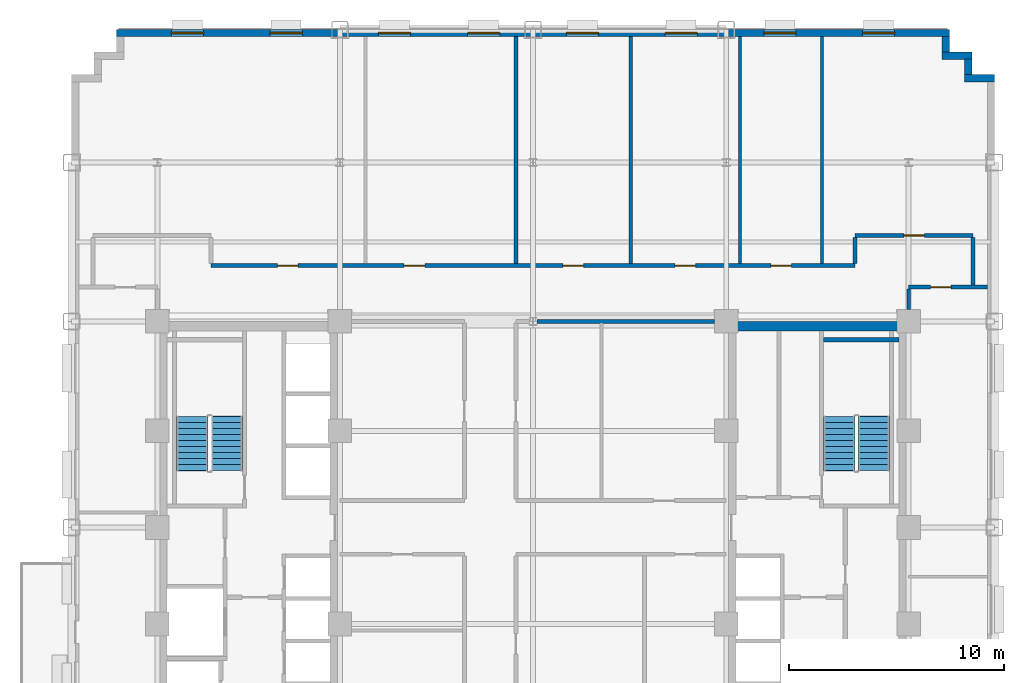
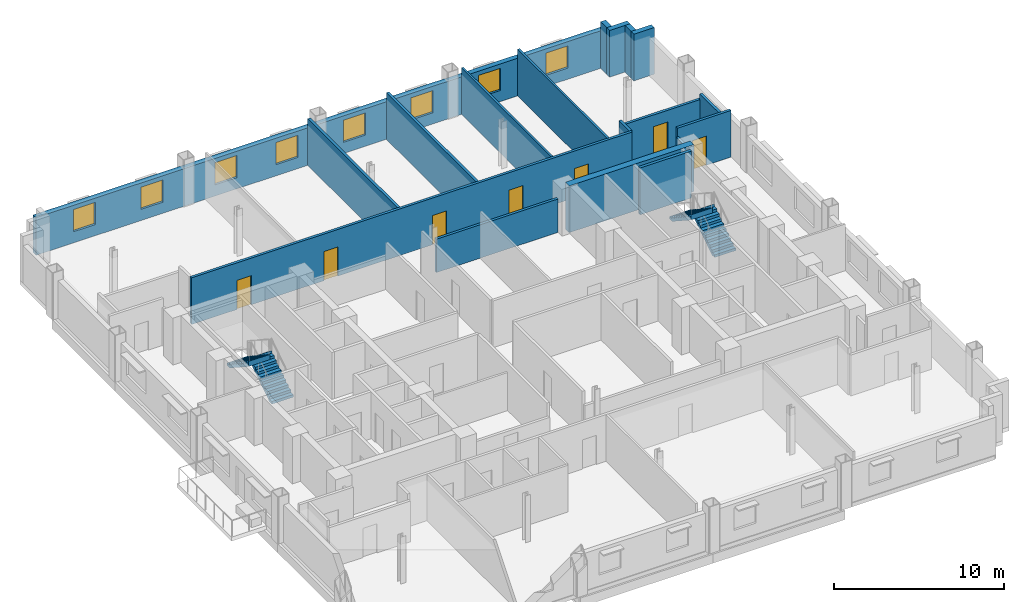
# One storey, part 9 of 13: 18 walls, 8 windows, 7 doors, 4 stair flights, 15 openings, 2 elements without a shape of their own.
"""IFC4 building model written with IfcOpenShell, lengths in metres."""

from ifc_helpers import new_model, si_unit, direction, frame, frame_2d, origin, place, context, subcontext, project, spatial, polyline, rectangle, outline, extrude, source, transform, mapped, material, layer, layer_set, type_object, type_shapes, element, fill, aggregate, save


model = new_model("IFC4")

# Units and contexts
model_context = context("Model", 3, precision=1e-05, world=origin(), true_north=direction((0.0, 1.0)))
body_context = subcontext(model_context, "Body", "Model", "MODEL_VIEW")
ifc_project = project(units=[si_unit("LENGTHUNIT", "METRE"), si_unit("AREAUNIT", "SQUARE_METRE"), si_unit("VOLUMEUNIT", "CUBIC_METRE"), si_unit("PLANEANGLEUNIT", "RADIAN"), si_unit("MASSUNIT", "GRAM", prefix="KILO")], contexts=[model_context])

# Site, building, storey
site_placement = place(None, origin())
site = spatial("IfcSite", under=ifc_project, at=site_placement, CompositionType="ELEMENT")
building_placement = place(site_placement, origin())
building = spatial("IfcBuilding", under=site, at=building_placement, Name="Nuvemarco Arch Tower", CompositionType="ELEMENT")
storey_placement = place(building_placement, frame((0.0, 0.0, 78.699951171875)))
storey = spatial("IfcBuildingStorey", under=building, at=storey_placement, Name="L20", CompositionType="ELEMENT", Elevation=78.699951171875)

# Walls
ifc_material_1 = material(Name="Precast concrete C45/55", Category="concrete")
ifc_layer_1 = layer(ifc_material_1, 0.340087890625, Name="EW-LOW-340")
ifc_layer_set_1 = layer_set([ifc_layer_1], Name="Precast concrete C45/55")
wall_type_1 = type_object("IfcWallType", Name="EW-LOW-340", PredefinedType="STANDARD", material=ifc_layer_set_1)
wall_1_placement = place(storey_placement, frame((20.110107421875, 20.929931640625, 0.0), z_axis=(0.0, 0.0, 1.0), x_axis=(1.0, 0.0, 0.0)))
element("IfcWall", 1, at=wall_1_placement, inside=storey, type_object=wall_type_1, Name="L20 exterior precast facade wall 7", PredefinedType="STANDARD", context=body_context, shape_type="SweptSolid", body=[
    extrude(rectangle(XDim=1.389892578125, YDim=0.340087890625, at=frame_2d((0.69482421875, 0.0))), origin(), (0.0, 0.0, 1.0), 3.360107421875),
])
wall_2_placement = place(storey_placement, frame((20.280029296875, 21.095947265625, 0.0), z_axis=(0.0, 0.0, 1.0), x_axis=(0.0, 1.0, 0.0)))
element("IfcWall", 2, at=wall_2_placement, inside=storey, type_object=wall_type_1, Name="L20 exterior precast facade wall 8", PredefinedType="STANDARD", context=body_context, shape_type="SweptSolid", body=[
    extrude(rectangle(XDim=0.718017578125, YDim=0.340087890625, at=frame_2d((0.35888671875, 0.0))), origin(), (0.0, 0.0, 1.0), 3.360107421875),
])
wall_3_placement = place(storey_placement, frame((19.06005859375, 21.97998046875, 0.0), z_axis=(0.0, 0.0, 1.0), x_axis=(1.0, 0.0, 0.0)))
element("IfcWall", 3, at=wall_3_placement, inside=storey, type_object=wall_type_1, Name="L20 exterior precast facade wall 9", PredefinedType="STANDARD", context=body_context, shape_type="SweptSolid", body=[
    extrude(rectangle(XDim=1.389892578125, YDim=0.340087890625, at=frame_2d((0.69482421875, 0.0))), origin(), (0.0, 0.0, 1.0), 3.360107421875),
])
wall_4_placement = place(storey_placement, frame((19.22998046875, 22.14599609375, 0.0), z_axis=(0.0, 0.0, 1.0), x_axis=(0.0, 1.0, 0.0)))
element("IfcWall", 4, at=wall_4_placement, inside=storey, type_object=wall_type_1, Name="L20 exterior precast facade wall 10", PredefinedType="STANDARD", context=body_context, shape_type="SweptSolid", body=[
    extrude(rectangle(XDim=0.718017578125, YDim=0.340087890625, at=frame_2d((0.35888671875, 0.0))), origin(), (0.0, 0.0, 1.0), 3.360107421875),
])

# Wall, openings, windows
wall_5_placement = place(storey_placement, frame((-19.39990234375, 23.030029296875, 0.0), z_axis=(0.0, 0.0, 1.0), x_axis=(1.0, 0.0, 0.0)))
wall_5 = element("IfcWall", 5, at=wall_5_placement, inside=storey, type_object=wall_type_1, Name="L20 exterior precast facade wall 11", PredefinedType="STANDARD", context=body_context, shape_type="SweptSolid", body=[
    extrude(rectangle(XDim=38.7998046875, YDim=0.340087890625, at=frame_2d((19.39990234375, 0.0))), origin(), (0.0, 0.0, 1.0), 2.705078125),
])
opening_1_placement = place(wall_5_placement, frame((2.550048828125, 0.0, 0.800048828125)))
opening_1 = element("IfcOpeningElement", 6, at=opening_1_placement, cuts=wall_5, Name="Opening WN-11", PredefinedType="OPENING", context=body_context, shape_type="SweptSolid", body=[
    extrude(rectangle(XDim=1.5, YDim=1.60009765625, at=frame_2d((0.75, 0.800048828125))), frame((0.0, 0.179931640625, 0.0), z_axis=(0.0, -1.0, 0.0), x_axis=(1.0, 0.0, 0.0)), (0.0, 0.0, 1.0), 0.360107421875),
])
opening_2_placement = place(wall_5_placement, frame((7.14990234375, 0.0, 0.800048828125)))
opening_2 = element("IfcOpeningElement", 7, at=opening_2_placement, cuts=wall_5, Name="Opening WN-11", PredefinedType="OPENING", context=body_context, shape_type="SweptSolid", body=[
    extrude(rectangle(XDim=1.5, YDim=1.60009765625, at=frame_2d((0.75, 0.800048828125))), frame((0.0, 0.179931640625, 0.0), z_axis=(0.0, -1.0, 0.0), x_axis=(1.0, 0.0, 0.0)), (0.0, 0.0, 1.0), 0.360107421875),
])
opening_3_placement = place(wall_5_placement, frame((12.199951171875, 0.0, 0.800048828125)))
opening_3 = element("IfcOpeningElement", 8, at=opening_3_placement, cuts=wall_5, Name="Opening WN-11", PredefinedType="OPENING", context=body_context, shape_type="SweptSolid", body=[
    extrude(rectangle(XDim=1.5, YDim=1.60009765625, at=frame_2d((0.75, 0.800048828125))), frame((0.0, 0.179931640625, 0.0), z_axis=(0.0, -1.0, 0.0), x_axis=(1.0, 0.0, 0.0)), (0.0, 0.0, 1.0), 0.360107421875),
])
opening_4_placement = place(wall_5_placement, frame((16.35009765625, 0.0, 0.800048828125)))
opening_4 = element("IfcOpeningElement", 9, at=opening_4_placement, cuts=wall_5, Name="Opening WN-11", PredefinedType="OPENING", context=body_context, shape_type="SweptSolid", body=[
    extrude(rectangle(XDim=1.5, YDim=1.60009765625, at=frame_2d((0.75, 0.800048828125))), frame((0.0, 0.179931640625, 0.0), z_axis=(0.0, -1.0, 0.0), x_axis=(1.0, 0.0, 0.0)), (0.0, 0.0, 1.0), 0.360107421875),
])
opening_5_placement = place(wall_5_placement, frame((20.949951171875, 0.0, 0.800048828125)))
opening_5 = element("IfcOpeningElement", 10, at=opening_5_placement, cuts=wall_5, Name="Opening WN-11", PredefinedType="OPENING", context=body_context, shape_type="SweptSolid", body=[
    extrude(rectangle(XDim=1.5, YDim=1.60009765625, at=frame_2d((0.75, 0.800048828125))), frame((0.0, 0.179931640625, 0.0), z_axis=(0.0, -1.0, 0.0), x_axis=(1.0, 0.0, 0.0)), (0.0, 0.0, 1.0), 0.360107421875),
])
opening_6_placement = place(wall_5_placement, frame((25.550048828125, 0.0, 0.800048828125)))
opening_6 = element("IfcOpeningElement", 11, at=opening_6_placement, cuts=wall_5, Name="Opening WN-11", PredefinedType="OPENING", context=body_context, shape_type="SweptSolid", body=[
    extrude(rectangle(XDim=1.5, YDim=1.60009765625, at=frame_2d((0.75, 0.800048828125))), frame((0.0, 0.179931640625, 0.0), z_axis=(0.0, -1.0, 0.0), x_axis=(1.0, 0.0, 0.0)), (0.0, 0.0, 1.0), 0.360107421875),
])
opening_7_placement = place(wall_5_placement, frame((30.14990234375, 0.0, 0.800048828125)))
opening_7 = element("IfcOpeningElement", 12, at=opening_7_placement, cuts=wall_5, Name="Opening WN-11", PredefinedType="OPENING", context=body_context, shape_type="SweptSolid", body=[
    extrude(rectangle(XDim=1.5, YDim=1.60009765625, at=frame_2d((0.75, 0.800048828125))), frame((0.0, 0.179931640625, 0.0), z_axis=(0.0, -1.0, 0.0), x_axis=(1.0, 0.0, 0.0)), (0.0, 0.0, 1.0), 0.360107421875),
])
opening_8_placement = place(wall_5_placement, frame((34.75, 0.0, 0.800048828125)))
opening_8 = element("IfcOpeningElement", 13, at=opening_8_placement, cuts=wall_5, Name="Opening WN-11", PredefinedType="OPENING", context=body_context, shape_type="SweptSolid", body=[
    extrude(rectangle(XDim=1.5, YDim=1.60009765625, at=frame_2d((0.75, 0.800048828125))), frame((0.0, 0.179931640625, 0.0), z_axis=(0.0, -1.0, 0.0), x_axis=(1.0, 0.0, 0.0)), (0.0, 0.0, 1.0), 0.360107421875),
])
ifc_material_2 = material(Name="Insulated solar-control glass", Category="glass")
window_type = type_object("IfcWindowType", Name="WN-STEP-1500x1850", PartitioningType="SINGLE_PANEL", PredefinedType="WINDOW", material=ifc_material_2)
shared_shape_1 = source(origin(), body_context, "Body", "SweptSolid", [
    extrude(rectangle(XDim=1.5, YDim=1.60009765625, at=frame_2d((0.75, 0.800048828125))), frame((0.0, 0.030029296875, 0.0), z_axis=(0.0, -1.0, 0.0), x_axis=(1.0, 0.0, 0.0)), (0.0, 0.0, 1.0), 0.06005859375),
])
type_shapes(window_type, [shared_shape_1])
window_1_placement = place(opening_1_placement, origin())
window_1 = element("IfcWindow", 14, at=window_1_placement, inside=storey, type_object=window_type, Name="L20 punched facade window 1", OverallHeight=1.60009765625, OverallWidth=1.5, PartitioningType="SINGLE_PANEL", PredefinedType="WINDOW", context=body_context, shape_type="MappedRepresentation", body=[
    mapped(shared_shape_1, transform((0.0, 0.0, 0.0), scale=1.0)),
])
fill(opening_1, window_1)
window_2_placement = place(opening_2_placement, origin())
window_2 = element("IfcWindow", 15, at=window_2_placement, inside=storey, type_object=window_type, Name="L20 punched facade window 2", OverallHeight=1.60009765625, OverallWidth=1.5, PartitioningType="SINGLE_PANEL", PredefinedType="WINDOW", context=body_context, shape_type="MappedRepresentation", body=[
    mapped(shared_shape_1, transform((0.0, 0.0, 0.0), scale=1.0)),
])
fill(opening_2, window_2)
window_3_placement = place(opening_3_placement, origin())
window_3 = element("IfcWindow", 16, at=window_3_placement, inside=storey, type_object=window_type, Name="L20 punched facade window 3", OverallHeight=1.60009765625, OverallWidth=1.5, PartitioningType="SINGLE_PANEL", PredefinedType="WINDOW", context=body_context, shape_type="MappedRepresentation", body=[
    mapped(shared_shape_1, transform((0.0, 0.0, 0.0), scale=1.0)),
])
fill(opening_3, window_3)
window_4_placement = place(opening_4_placement, origin())
window_4 = element("IfcWindow", 17, at=window_4_placement, inside=storey, type_object=window_type, Name="L20 punched facade window 4", OverallHeight=1.60009765625, OverallWidth=1.5, PartitioningType="SINGLE_PANEL", PredefinedType="WINDOW", context=body_context, shape_type="MappedRepresentation", body=[
    mapped(shared_shape_1, transform((0.0, 0.0, 0.0), scale=1.0)),
])
fill(opening_4, window_4)
window_5_placement = place(opening_5_placement, origin())
window_5 = element("IfcWindow", 18, at=window_5_placement, inside=storey, type_object=window_type, Name="L20 punched facade window 5", OverallHeight=1.60009765625, OverallWidth=1.5, PartitioningType="SINGLE_PANEL", PredefinedType="WINDOW", context=body_context, shape_type="MappedRepresentation", body=[
    mapped(shared_shape_1, transform((0.0, 0.0, 0.0), scale=1.0)),
])
fill(opening_5, window_5)
window_6_placement = place(opening_6_placement, origin())
window_6 = element("IfcWindow", 19, at=window_6_placement, inside=storey, type_object=window_type, Name="L20 punched facade window 6", OverallHeight=1.60009765625, OverallWidth=1.5, PartitioningType="SINGLE_PANEL", PredefinedType="WINDOW", context=body_context, shape_type="MappedRepresentation", body=[
    mapped(shared_shape_1, transform((0.0, 0.0, 0.0), scale=1.0)),
])
fill(opening_6, window_6)
window_7_placement = place(opening_7_placement, origin())
window_7 = element("IfcWindow", 20, at=window_7_placement, inside=storey, type_object=window_type, Name="L20 punched facade window 7", OverallHeight=1.60009765625, OverallWidth=1.5, PartitioningType="SINGLE_PANEL", PredefinedType="WINDOW", context=body_context, shape_type="MappedRepresentation", body=[
    mapped(shared_shape_1, transform((0.0, 0.0, 0.0), scale=1.0)),
])
fill(opening_7, window_7)
window_8_placement = place(opening_8_placement, origin())
window_8 = element("IfcWindow", 21, at=window_8_placement, inside=storey, type_object=window_type, Name="L20 punched facade window 8", OverallHeight=1.60009765625, OverallWidth=1.5, PartitioningType="SINGLE_PANEL", PredefinedType="WINDOW", context=body_context, shape_type="MappedRepresentation", body=[
    mapped(shared_shape_1, transform((0.0, 0.0, 0.0), scale=1.0)),
])
fill(opening_8, window_8)

# Walls
ifc_material_3 = material(Name="Concrete C60/75", Category="concrete")
ifc_layer_2 = layer(ifc_material_3, 0.449951171875, Name="WL-CORE-450")
ifc_layer_set_2 = layer_set([ifc_layer_2], Name="Concrete C60/75")
wall_type_2 = type_object("IfcWallType", Name="WL-CORE-450", PredefinedType="SHEAR", material=ifc_layer_set_2)
wall_6_placement = place(storey_placement, frame((9.0, 9.375, 0.0), z_axis=(0.0, 0.0, 1.0), x_axis=(1.0, 0.0, 0.0)))
element("IfcWall", 22, at=wall_6_placement, inside=storey, type_object=wall_type_2, Name="L20 E-core shear wall N", PredefinedType="SHEAR", context=body_context, shape_type="SweptSolid", body=[
    extrude(rectangle(XDim=8.5, YDim=0.449951171875, at=frame_2d((4.25, 0.0))), origin(), (0.0, 0.0, 1.0), 3.3701171875),
])
ifc_material_4 = material(Name="Fire-rated gypsum drywall partition")
ifc_layer_3 = layer(ifc_material_4, 0.179931640625, Name="WL-CORR-180")
ifc_layer_set_3 = layer_set([ifc_layer_3], Name="Fire-rated gypsum drywall partition")
wall_type_3 = type_object("IfcWallType", Name="WL-CORR-180", PredefinedType="PARTITIONING", material=ifc_layer_set_3)
wall_7_placement = place(storey_placement, frame((0.176025390625, 9.60009765625, 0.0), z_axis=(0.0, 0.0, 1.0), x_axis=(1.0, 0.0, 0.0)))
element("IfcWall", 23, at=wall_7_placement, inside=storey, type_object=wall_type_3, Name="L20 interior wall IW-L20-019", PredefinedType="PARTITIONING", context=body_context, shape_type="SweptSolid", body=[
    extrude(rectangle(XDim=8.278076171875, YDim=0.179931640625, at=frame_2d((4.13916015625, 0.0))), origin(), (0.0, 0.0, 1.0), 2.405029296875),
])

# Wall, opening, door
wall_8_placement = place(storey_placement, frame((17.5, 11.199951171875, 0.0), z_axis=(0.0, 0.0, 1.0), x_axis=(1.0, 0.0, 0.0)))
wall_8 = element("IfcWall", 24, at=wall_8_placement, inside=storey, type_object=wall_type_3, Name="L20 interior wall IW-L20-021", PredefinedType="PARTITIONING", context=body_context, shape_type="SweptSolid", body=[
    extrude(rectangle(XDim=3.659912109375, YDim=0.179931640625, at=frame_2d((1.830078125, 0.0))), origin(), (0.0, 0.0, 1.0), 3.360107421875),
])
opening_9_placement = place(wall_8_placement, frame((1.02001953125, 0.0, 0.0)))
opening_9 = element("IfcOpeningElement", 25, at=opening_9_placement, cuts=wall_8, Name="Opening FD-5", PredefinedType="OPENING", context=body_context, shape_type="SweptSolid", body=[
    extrude(rectangle(XDim=0.9599609375, YDim=2.10009765625, at=frame_2d((0.47998046875, 1.050048828125))), frame((0.0, 0.099853515625, 0.0), z_axis=(0.0, -1.0, 0.0), x_axis=(1.0, 0.0, 0.0)), (0.0, 0.0, 1.0), 0.199951171875),
])
ifc_material_5 = material(Name="Timber fire door", Category="wood")
door_type = type_object("IfcDoorType", Name="DR-CORR-FD", OperationType="NOTDEFINED", PredefinedType="DOOR", material=ifc_material_5)
shared_shape_2 = source(origin(), body_context, "Body", "SweptSolid", [
    extrude(rectangle(XDim=0.9599609375, YDim=2.10009765625, at=frame_2d((0.47998046875, 1.050048828125))), frame((0.0, 0.02490234375, 0.0), z_axis=(0.0, -1.0, 0.0), x_axis=(1.0, 0.0, 0.0)), (0.0, 0.0, 1.0), 0.050048828125),
])
type_shapes(door_type, [shared_shape_2])
door_1_placement = place(opening_9_placement, origin())
door_1 = element("IfcDoor", 26, at=door_1_placement, inside=storey, type_object=door_type, Name="L20 door DR-L20-E_2", OperationType="SINGLE_SWING_RIGHT", OverallHeight=2.10009765625, OverallWidth=0.9599609375, PredefinedType="DOOR", context=body_context, shape_type="MappedRepresentation", body=[
    mapped(shared_shape_2, transform((0.0, 0.0, 0.0), scale=1.0)),
])
fill(opening_9, door_1)

# Wall, openings, doors
wall_9_placement = place(storey_placement, frame((-15.0, 12.199951171875, 0.0), z_axis=(0.0, 0.0, 1.0), x_axis=(1.0, 0.0, 0.0)))
wall_9 = element("IfcWall", 27, at=wall_9_placement, inside=storey, type_object=wall_type_3, Name="L20 interior wall IW-L20-022", PredefinedType="PARTITIONING", context=body_context, shape_type="SweptSolid", body=[
    extrude(rectangle(XDim=30.0, YDim=0.179931640625, at=frame_2d((15.0, 0.0))), origin(), (0.0, 0.0, 1.0), 3.360107421875),
])
opening_10_placement = place(wall_9_placement, frame((3.10009765625, 0.0, 0.0)))
opening_10 = element("IfcOpeningElement", 28, at=opening_10_placement, cuts=wall_9, Name="Opening FD-5", PredefinedType="OPENING", context=body_context, shape_type="SweptSolid", body=[
    extrude(rectangle(XDim=0.9599609375, YDim=2.10009765625, at=frame_2d((0.47998046875, 1.050048828125))), frame((0.0, 0.099853515625, 0.0), z_axis=(0.0, -1.0, 0.0), x_axis=(1.0, 0.0, 0.0)), (0.0, 0.0, 1.0), 0.199951171875),
])
opening_11_placement = place(wall_9_placement, frame((16.39501953125, 0.0, 0.0)))
opening_11 = element("IfcOpeningElement", 29, at=opening_11_placement, cuts=wall_9, Name="Opening FD-5", PredefinedType="OPENING", context=body_context, shape_type="SweptSolid", body=[
    extrude(rectangle(XDim=0.9599609375, YDim=2.10009765625, at=frame_2d((0.47998046875, 1.050048828125))), frame((0.0, 0.099853515625, 0.0), z_axis=(0.0, -1.0, 0.0), x_axis=(1.0, 0.0, 0.0)), (0.0, 0.0, 1.0), 0.199951171875),
])
opening_12_placement = place(wall_9_placement, frame((21.6201171875, 0.0, 0.0)))
opening_12 = element("IfcOpeningElement", 30, at=opening_12_placement, cuts=wall_9, Name="Opening FD-5", PredefinedType="OPENING", context=body_context, shape_type="SweptSolid", body=[
    extrude(rectangle(XDim=0.9599609375, YDim=2.10009765625, at=frame_2d((0.47998046875, 1.050048828125))), frame((0.0, 0.099853515625, 0.0), z_axis=(0.0, -1.0, 0.0), x_axis=(1.0, 0.0, 0.0)), (0.0, 0.0, 1.0), 0.199951171875),
])
opening_13_placement = place(wall_9_placement, frame((9.0, 0.0, 0.0)))
opening_13 = element("IfcOpeningElement", 31, at=opening_13_placement, cuts=wall_9, Name="Opening FD-5", PredefinedType="OPENING", context=body_context, shape_type="SweptSolid", body=[
    extrude(rectangle(XDim=0.9599609375, YDim=2.10009765625, at=frame_2d((0.47998046875, 1.050048828125))), frame((0.0, 0.099853515625, 0.0), z_axis=(0.0, -1.0, 0.0), x_axis=(1.0, 0.0, 0.0)), (0.0, 0.0, 1.0), 0.199951171875),
])
opening_14_placement = place(wall_9_placement, frame((26.080078125, 0.0, 0.0)))
opening_14 = element("IfcOpeningElement", 32, at=opening_14_placement, cuts=wall_9, Name="Opening FD-5", PredefinedType="OPENING", context=body_context, shape_type="SweptSolid", body=[
    extrude(rectangle(XDim=0.9599609375, YDim=2.10009765625, at=frame_2d((0.47998046875, 1.050048828125))), frame((0.0, 0.099853515625, 0.0), z_axis=(0.0, -1.0, 0.0), x_axis=(1.0, 0.0, 0.0)), (0.0, 0.0, 1.0), 0.199951171875),
])
door_2_placement = place(opening_10_placement, origin())
door_2 = element("IfcDoor", 33, at=door_2_placement, inside=storey, type_object=door_type, Name="L20 door DR-L20-N_1", OperationType="SINGLE_SWING_LEFT", OverallHeight=2.10009765625, OverallWidth=0.9599609375, PredefinedType="DOOR", context=body_context, shape_type="MappedRepresentation", body=[
    mapped(shared_shape_2, transform((0.0, 0.0, 0.0), scale=1.0)),
])
fill(opening_10, door_2)
door_3_placement = place(opening_11_placement, origin())
door_3 = element("IfcDoor", 34, at=door_3_placement, inside=storey, type_object=door_type, Name="L20 door DR-L20-N_3", OperationType="SINGLE_SWING_LEFT", OverallHeight=2.10009765625, OverallWidth=0.9599609375, PredefinedType="DOOR", context=body_context, shape_type="MappedRepresentation", body=[
    mapped(shared_shape_2, transform((0.0, 0.0, 0.0), scale=1.0)),
])
fill(opening_11, door_3)
door_4_placement = place(opening_12_placement, origin())
door_4 = element("IfcDoor", 35, at=door_4_placement, inside=storey, type_object=door_type, Name="L20 door DR-L20-N_4", OperationType="SINGLE_SWING_LEFT", OverallHeight=2.10009765625, OverallWidth=0.9599609375, PredefinedType="DOOR", context=body_context, shape_type="MappedRepresentation", body=[
    mapped(shared_shape_2, transform((0.0, 0.0, 0.0), scale=1.0)),
])
fill(opening_12, door_4)
door_5_placement = place(opening_13_placement, origin())
door_5 = element("IfcDoor", 36, at=door_5_placement, inside=storey, type_object=door_type, Name="L20 door DR-L20-N_2", OperationType="SINGLE_SWING_RIGHT", OverallHeight=2.10009765625, OverallWidth=0.9599609375, PredefinedType="DOOR", context=body_context, shape_type="MappedRepresentation", body=[
    mapped(shared_shape_2, transform((0.0, 0.0, 0.0), scale=1.0)),
])
fill(opening_13, door_5)
door_6_placement = place(opening_14_placement, origin())
door_6 = element("IfcDoor", 37, at=door_6_placement, inside=storey, type_object=door_type, Name="L20 door DR-L20-N_5", OperationType="SINGLE_SWING_LEFT", OverallHeight=2.10009765625, OverallWidth=0.9599609375, PredefinedType="DOOR", context=body_context, shape_type="MappedRepresentation", body=[
    mapped(shared_shape_2, transform((0.0, 0.0, 0.0), scale=1.0)),
])
fill(opening_14, door_6)

# Wall, opening, door
wall_10_placement = place(storey_placement, frame((15.0, 13.60009765625, 0.0), z_axis=(0.0, 0.0, 1.0), x_axis=(1.0, 0.0, 0.0)))
wall_10 = element("IfcWall", 38, at=wall_10_placement, inside=storey, type_object=wall_type_3, Name="L20 interior wall IW-L20-024", PredefinedType="PARTITIONING", context=body_context, shape_type="SweptSolid", body=[
    extrude(rectangle(XDim=5.5, YDim=0.179931640625, at=frame_2d((2.75, 0.0))), origin(), (0.0, 0.0, 1.0), 2.942138671875),
])
opening_15_placement = place(wall_10_placement, frame((2.27001953125, 0.0, 0.0)))
opening_15 = element("IfcOpeningElement", 39, at=opening_15_placement, cuts=wall_10, Name="Opening FD-5", PredefinedType="OPENING", context=body_context, shape_type="SweptSolid", body=[
    extrude(rectangle(XDim=0.9599609375, YDim=2.10009765625, at=frame_2d((0.47998046875, 1.050048828125))), frame((0.0, 0.099853515625, 0.0), z_axis=(0.0, -1.0, 0.0), x_axis=(1.0, 0.0, 0.0)), (0.0, 0.0, 1.0), 0.199951171875),
])
door_7_placement = place(opening_15_placement, origin())
door_7 = element("IfcDoor", 40, at=door_7_placement, inside=storey, type_object=door_type, Name="L20 door DR-L20-N_6", OperationType="SINGLE_SWING_RIGHT", OverallHeight=2.10009765625, OverallWidth=0.9599609375, PredefinedType="DOOR", context=body_context, shape_type="MappedRepresentation", body=[
    mapped(shared_shape_2, transform((0.0, 0.0, 0.0), scale=1.0)),
])
fill(opening_15, door_7)

# Walls
for number, where, z_axis, x_axis, name in (
    (41, (-0.800048828125, 12.285888671875, 0.0), (0.0, 0.0, 1.0), (0.0, 1.0, 0.0), "L20 interior wall IW-L20-041"),
    (42, (4.550048828125, 12.285888671875, 0.0), (0.0, 0.0, 1.0), (0.0, 1.0, 0.0), "L20 interior wall IW-L20-043"),
):
    element("IfcWall", number, at=place(storey_placement, frame(where, z_axis=z_axis, x_axis=x_axis)), inside=storey, type_object=wall_type_3, Name=name, PredefinedType="PARTITIONING", context=body_context, shape_type="SweptSolid", body=[
        extrude(rectangle(XDim=10.57421875, YDim=0.179931640625, at=frame_2d((5.287109375, 0.0))), origin(), (0.0, 0.0, 1.0), 3.360107421875),
    ])
wall_11_placement = place(storey_placement, frame((15.0, 12.285888671875, 0.0), z_axis=(0.0, 0.0, 1.0), x_axis=(0.0, 1.0, 0.0)))
element("IfcWall", 43, at=wall_11_placement, inside=storey, type_object=wall_type_3, Name="L20 interior wall IW-L20-049", PredefinedType="PARTITIONING", context=body_context, shape_type="SweptSolid", body=[
    extrude(rectangle(XDim=1.22802734375, YDim=0.179931640625, at=frame_2d((0.614013671875, 0.0))), origin(), (0.0, 0.0, 1.0), 3.360107421875),
])
wall_12_placement = place(storey_placement, frame((17.5, 10.14599609375, 0.0), z_axis=(0.0, 0.0, 1.0), x_axis=(0.0, 1.0, 0.0)))
element("IfcWall", 44, at=wall_12_placement, inside=storey, type_object=wall_type_3, Name="L20 interior wall IW-L20-051", PredefinedType="PARTITIONING", context=body_context, shape_type="SweptSolid", body=[
    extrude(rectangle(XDim=0.968017578125, YDim=0.179931640625, at=frame_2d((0.48388671875, 0.0))), origin(), (0.0, 0.0, 1.0), 2.738037109375),
])
wall_13_placement = place(storey_placement, frame((20.5, 11.285888671875, 0.0), z_axis=(0.0, 0.0, 1.0), x_axis=(0.0, 1.0, 0.0)))
element("IfcWall", 45, at=wall_13_placement, inside=storey, type_object=wall_type_3, Name="L20 interior wall IW-L20-053", PredefinedType="PARTITIONING", context=body_context, shape_type="SweptSolid", body=[
    extrude(rectangle(XDim=2.22802734375, YDim=0.179931640625, at=frame_2d((1.114013671875, 0.0))), origin(), (0.0, 0.0, 1.0), 3.360107421875),
])
ifc_material_6 = material(Name="Gypsum plasterboard partition")
ifc_layer_4 = layer(ifc_material_6, 0.139892578125, Name="WL-ROOM-140")
ifc_layer_set_4 = layer_set([ifc_layer_4], Name="Gypsum plasterboard partition")
wall_type_4 = type_object("IfcWallType", Name="WL-ROOM-140", PredefinedType="PARTITIONING", material=ifc_layer_set_4)
for number, where, z_axis, x_axis, name in (
    (46, (9.64990234375, 12.285888671875, 0.0), (0.0, 0.0, 1.0), (0.0, 1.0, 0.0), "L20 interior wall IW-L20-045"),
    (47, (13.469970703125, 12.285888671875, 0.0), (0.0, 0.0, 1.0), (0.0, 1.0, 0.0), "L20 interior wall IW-L20-047"),
):
    element("IfcWall", number, at=place(storey_placement, frame(where, z_axis=z_axis, x_axis=x_axis)), inside=storey, type_object=wall_type_4, Name=name, PredefinedType="PARTITIONING", context=body_context, shape_type="SweptSolid", body=[
        extrude(rectangle(XDim=10.57421875, YDim=0.139892578125, at=frame_2d((5.287109375, 0.0))), origin(), (0.0, 0.0, 1.0), 3.360107421875),
    ])
ifc_material_7 = material(Name="Concrete C50/60", Category="concrete")
ifc_layer_5 = layer(ifc_material_7, 0.199951171875, Name="WL-SHAFT-220")
ifc_layer_set_5 = layer_set([ifc_layer_5], Name="Concrete C50/60")
wall_type_5 = type_object("IfcWallType", Name="WL-SHAFT-220", PredefinedType="SHEAR", material=ifc_layer_set_5)
wall_14_placement = place(storey_placement, frame((13.534912109375, 8.75, 0.0), z_axis=(0.0, 0.0, 1.0), x_axis=(1.0, 0.0, 0.0)))
element("IfcWall", 48, at=wall_14_placement, inside=storey, type_object=wall_type_5, Name="L20 structural shaft wall SW-L20-E-ST2N", PredefinedType="SHEAR", context=body_context, shape_type="SweptSolid", body=[
    extrude(rectangle(XDim=3.52001953125, YDim=0.199951171875, at=frame_2d((1.760009765625, 0.0))), origin(), (0.0, 0.0, 1.0), 3.3701171875),
])

# Stair, stair flights
stair_type = type_object("IfcStairType", Name="ST-CORE-20R", PredefinedType="HALF_TURN_STAIR", material=ifc_material_1)
stair_1_placement = place(storey_placement, origin())
stair_1 = element("IfcStair", 49, at=stair_1_placement, inside=storey, type_object=stair_type, Name="L20 Protected Exit Stair ST-1", PredefinedType="HALF_TURN_STAIR")
stair_flight_type = type_object("IfcStairFlightType", Name="SF-CORE-20R", PredefinedType="STRAIGHT", material=ifc_material_1)
stair_flight_1_placement = place(storey_placement, frame((-14.264892578125, 2.64990234375, 0.0), z_axis=(0.0, 0.0, 1.0), x_axis=(0.0, 1.0, 0.0)))
stair_flight_1 = element("IfcStairFlight", 50, at=stair_flight_1_placement, type_object=stair_flight_type, Name="ST-20R flight 1", NumberOfRisers=10, NumberOfTreads=9, PredefinedType="STRAIGHT", RiserHeight=0.1825, TreadLength=0.28, context=body_context, shape_type="SweptSolid", body=[
    extrude(outline(polyline([(0.0, 0.0), (0.0, 0.1826171875), (0.280029296875, 0.1826171875), (0.280029296875, 0.364990234375), (0.56005859375, 0.364990234375), (0.56005859375, 0.547607421875), (0.840087890625, 0.547607421875), (0.840087890625, 0.72998046875), (1.1201171875, 0.72998046875), (1.1201171875, 0.91259765625), (1.39990234375, 0.91259765625), (1.39990234375, 1.094970703125), (1.679931640625, 1.094970703125), (1.679931640625, 1.277587890625), (1.9599609375, 1.277587890625), (1.9599609375, 1.4599609375), (2.239990234375, 1.4599609375), (2.239990234375, 1.642578125), (2.52001953125, 1.642578125), (2.52001953125, 1.824951171875), (2.5400390625, 1.824951171875), (2.5400390625, 1.45166015625), (0.312744140625, 0.0), (0.0, 0.0)])), frame((0.0, 0.72509765625, 0.0), z_axis=(0.0, -1.0, 0.0), x_axis=(1.0, 0.0, 0.0)), (0.0, 0.0, 1.0), 1.449951171875),
])
stair_flight_2_placement = place(storey_placement, frame((-15.875, 5.169921875, 1.824951171875), z_axis=(0.0, 0.0, 1.0), x_axis=(0.0, -1.0, 0.0)))
stair_flight_2 = element("IfcStairFlight", 51, at=stair_flight_2_placement, type_object=stair_flight_type, Name="ST-20R flight 2", NumberOfRisers=10, NumberOfTreads=9, PredefinedType="STRAIGHT", RiserHeight=0.1825, TreadLength=0.28, context=body_context, shape_type="SweptSolid", body=[
    extrude(outline(polyline([(0.0, 0.0), (0.0, 0.1826171875), (0.280029296875, 0.1826171875), (0.280029296875, 0.364990234375), (0.56005859375, 0.364990234375), (0.56005859375, 0.547607421875), (0.840087890625, 0.547607421875), (0.840087890625, 0.72998046875), (1.1201171875, 0.72998046875), (1.1201171875, 0.91259765625), (1.39990234375, 0.91259765625), (1.39990234375, 1.094970703125), (1.679931640625, 1.094970703125), (1.679931640625, 1.277587890625), (1.9599609375, 1.277587890625), (1.9599609375, 1.4599609375), (2.239990234375, 1.4599609375), (2.239990234375, 1.642578125), (2.52001953125, 1.642578125), (2.52001953125, 1.824951171875), (2.5400390625, 1.824951171875), (2.5400390625, 1.45166015625), (0.312744140625, 0.0), (0.0, 0.0)])), frame((0.0, 0.72509765625, 0.0), z_axis=(0.0, -1.0, 0.0), x_axis=(1.0, 0.0, 0.0)), (0.0, 0.0, 1.0), 1.449951171875),
])
aggregate(stair_1, [stair_flight_1, stair_flight_2])

stair_2_placement = place(storey_placement, origin())
stair_2 = element("IfcStair", 52, at=stair_2_placement, inside=storey, type_object=stair_type, Name="L20 Protected Exit Stair ST-2", PredefinedType="HALF_TURN_STAIR")
stair_flight_3_placement = place(storey_placement, frame((15.875, 2.64990234375, 0.0), z_axis=(0.0, 0.0, 1.0), x_axis=(0.0, 1.0, 0.0)))
stair_flight_3 = element("IfcStairFlight", 53, at=stair_flight_3_placement, type_object=stair_flight_type, Name="ST-20R flight 1", NumberOfRisers=10, NumberOfTreads=9, PredefinedType="STRAIGHT", RiserHeight=0.1825, TreadLength=0.28, context=body_context, shape_type="SweptSolid", body=[
    extrude(outline(polyline([(0.0, 0.0), (0.0, 0.1826171875), (0.280029296875, 0.1826171875), (0.280029296875, 0.364990234375), (0.56005859375, 0.364990234375), (0.56005859375, 0.547607421875), (0.840087890625, 0.547607421875), (0.840087890625, 0.72998046875), (1.1201171875, 0.72998046875), (1.1201171875, 0.91259765625), (1.39990234375, 0.91259765625), (1.39990234375, 1.094970703125), (1.679931640625, 1.094970703125), (1.679931640625, 1.277587890625), (1.9599609375, 1.277587890625), (1.9599609375, 1.4599609375), (2.239990234375, 1.4599609375), (2.239990234375, 1.642578125), (2.52001953125, 1.642578125), (2.52001953125, 1.824951171875), (2.5400390625, 1.824951171875), (2.5400390625, 1.45166015625), (0.312744140625, 0.0), (0.0, 0.0)])), frame((0.0, 0.72509765625, 0.0), z_axis=(0.0, -1.0, 0.0), x_axis=(1.0, 0.0, 0.0)), (0.0, 0.0, 1.0), 1.449951171875),
])
stair_flight_4_placement = place(storey_placement, frame((14.264892578125, 5.169921875, 1.824951171875), z_axis=(0.0, 0.0, 1.0), x_axis=(0.0, -1.0, 0.0)))
stair_flight_4 = element("IfcStairFlight", 54, at=stair_flight_4_placement, type_object=stair_flight_type, Name="ST-20R flight 2", NumberOfRisers=10, NumberOfTreads=9, PredefinedType="STRAIGHT", RiserHeight=0.1825, TreadLength=0.28, context=body_context, shape_type="SweptSolid", body=[
    extrude(outline(polyline([(0.0, 0.0), (0.0, 0.1826171875), (0.280029296875, 0.1826171875), (0.280029296875, 0.364990234375), (0.56005859375, 0.364990234375), (0.56005859375, 0.547607421875), (0.840087890625, 0.547607421875), (0.840087890625, 0.72998046875), (1.1201171875, 0.72998046875), (1.1201171875, 0.91259765625), (1.39990234375, 0.91259765625), (1.39990234375, 1.094970703125), (1.679931640625, 1.094970703125), (1.679931640625, 1.277587890625), (1.9599609375, 1.277587890625), (1.9599609375, 1.4599609375), (2.239990234375, 1.4599609375), (2.239990234375, 1.642578125), (2.52001953125, 1.642578125), (2.52001953125, 1.824951171875), (2.5400390625, 1.824951171875), (2.5400390625, 1.45166015625), (0.312744140625, 0.0), (0.0, 0.0)])), frame((0.0, 0.72509765625, 0.0), z_axis=(0.0, -1.0, 0.0), x_axis=(1.0, 0.0, 0.0)), (0.0, 0.0, 1.0), 1.449951171875),
])
aggregate(stair_2, [stair_flight_3, stair_flight_4])

save(model, "model.ifc")
